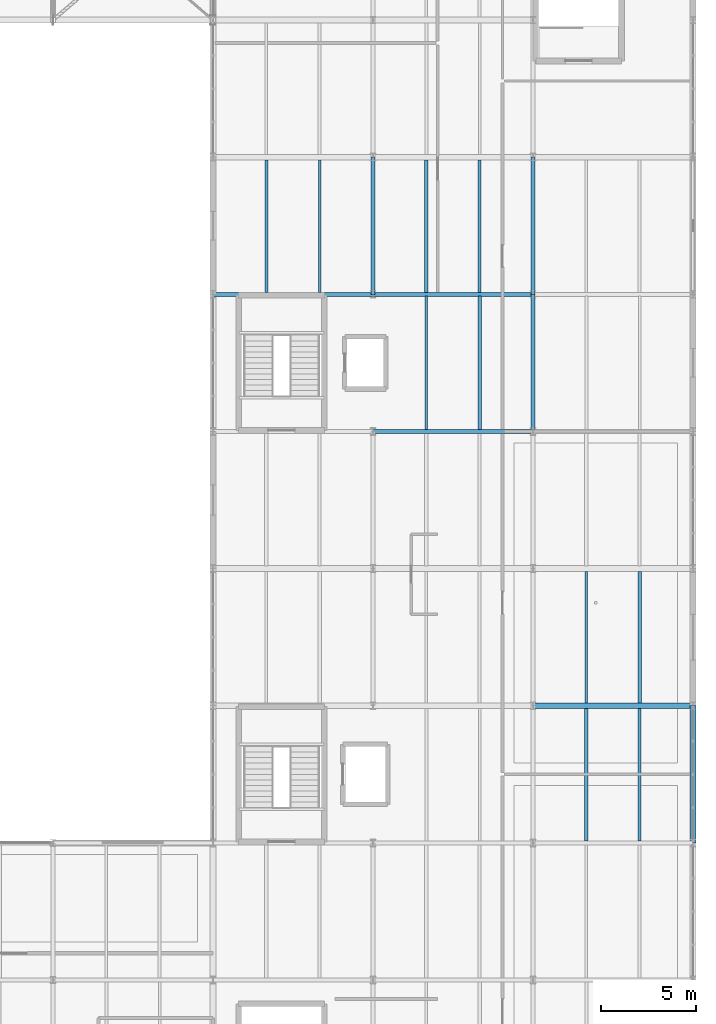
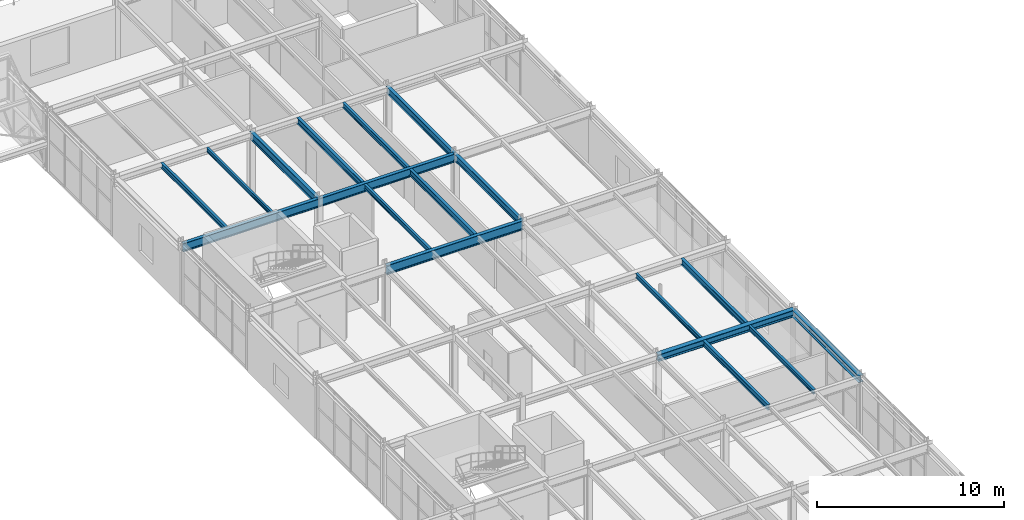
# One storey, part 79 of 134: 18 beams.
"""IFC4 building model written with IfcOpenShell, lengths in metres."""

from ifc_helpers import new_model, si_unit, derived_unit, direction, frame, origin, origin_2d, place, context, subcontext, project, spatial, i_section, extrude, material, material_profile, profile_set, type_object, element, save


model = new_model("IFC4")

# Units and contexts
model_context = context("Model", 3, precision=1e-05, world=origin(), true_north=direction((0.0, 1.0)))
body_context = subcontext(model_context, "Body", "Model", "MODEL_VIEW")
ifc_project = project(units=[si_unit("LENGTHUNIT", "METRE"), si_unit("AREAUNIT", "SQUARE_METRE"), si_unit("VOLUMEUNIT", "CUBIC_METRE"), si_unit("PLANEANGLEUNIT", "RADIAN"), si_unit("MASSUNIT", "GRAM", prefix="KILO"), derived_unit("THERMALTRANSMITTANCEUNIT", [(si_unit("MASSUNIT", "GRAM", prefix="KILO"), 1), (si_unit("TIMEUNIT", "SECOND"), -3), (si_unit("THERMODYNAMICTEMPERATUREUNIT", "KELVIN"), -1)])], contexts=[model_context])

# Site, building, storey
site_placement = place(None, origin())
site = spatial("IfcSite", under=ifc_project, at=site_placement, CompositionType="ELEMENT")
building_placement = place(site_placement, origin())
building = spatial("IfcBuilding", under=site, at=building_placement, Name="Kharveza Railside Sports Centre", CompositionType="ELEMENT")
storey_placement = place(building_placement, frame((0.0, 0.0, 12.89990234375)))
storey = spatial("IfcBuildingStorey", under=building, at=storey_placement, Name="L03", CompositionType="ELEMENT", Elevation=12.89990234375)

# Beams
ifc_material = material(Name="Steel S355J2", Category="steel")
ifc_material_profile_1 = material_profile(ifc_material, i_section(OverallWidth=0.219970703125, OverallDepth=0.60009765625, WebThickness=0.011962890625, FlangeThickness=0.01904296875, FilletRadius=0.02392578125, at=origin_2d()), Name="IPE 600")
ifc_profile_set_1 = profile_set([ifc_material_profile_1], Name="Steel S355J2")
beam_type_1 = type_object("IfcBeamType", Name="BM-G01", PredefinedType="T_BEAM", material=ifc_profile_set_1)
beam_1_placement = place(storey_placement, frame((151.199951171875, 57.60009765625, 3.66015625), z_axis=(1.0, 0.0, 0.0), x_axis=(0.0, 1.0, 0.0)))
element("IfcBeam", 1, at=beam_1_placement, inside=storey, type_object=beam_type_1, Name="BM-EW-L03-B01-X1512-Y576", PredefinedType="T_BEAM", context=body_context, shape_type="SweptSolid", body=[
    extrude(i_section(OverallWidth=0.219970703125, OverallDepth=0.60009765625, WebThickness=0.011962890625, FlangeThickness=0.01904296875, FilletRadius=0.02392578125, at=origin_2d()), origin(), (0.0, 0.0, 1.0), 8.400146484375),
])
ifc_material_profile_2 = material_profile(ifc_material, i_section(OverallWidth=0.2099609375, OverallDepth=0.550048828125, WebThickness=0.010986328125, FlangeThickness=0.01708984375, FilletRadius=0.02392578125, at=origin_2d()), Name="IPE 550")
ifc_profile_set_2 = profile_set([ifc_material_profile_2], Name="Steel S355J2")
beam_type_2 = type_object("IfcBeamType", Name="BM-G02", PredefinedType="T_BEAM", material=ifc_profile_set_2)
beam_2_placement = place(storey_placement, frame((142.800048828125, 64.800048828125, 3.68505859375), z_axis=(1.0, 0.0, 0.0), x_axis=(0.0, 1.0, 0.0)))
element("IfcBeam", 2, at=beam_2_placement, inside=storey, type_object=beam_type_2, Name="BM-EW-L03-B02-X1428-Y648", PredefinedType="T_BEAM", context=body_context, shape_type="SweptSolid", body=[
    extrude(i_section(OverallWidth=0.2099609375, OverallDepth=0.550048828125, WebThickness=0.010986328125, FlangeThickness=0.01708984375, FilletRadius=0.02392578125, at=origin_2d()), origin(), (0.0, 0.0, 1.0), 8.39990234375),
])
beam_3_placement = place(storey_placement, frame((151.199951171875, 64.800048828125, 3.68505859375), z_axis=(1.0, 0.0, 0.0), x_axis=(0.0, 1.0, 0.0)))
element("IfcBeam", 3, at=beam_3_placement, inside=storey, type_object=beam_type_2, Name="BM-EW-L03-B02-X1512-Y648", PredefinedType="T_BEAM", context=body_context, shape_type="SweptSolid", body=[
    extrude(i_section(OverallWidth=0.2099609375, OverallDepth=0.550048828125, WebThickness=0.010986328125, FlangeThickness=0.01708984375, FilletRadius=0.02392578125, at=origin_2d()), origin(), (0.0, 0.0, 1.0), 8.400146484375),
])
ifc_material_profile_3 = material_profile(ifc_material, i_section(OverallWidth=0.199951171875, OverallDepth=0.5, WebThickness=0.01025390625, FlangeThickness=0.01611328125, FilletRadius=0.02099609375, at=origin_2d()), Name="IPE 500")
ifc_profile_set_3 = profile_set([ifc_material_profile_3], Name="Steel S355J2")
beam_type_3 = type_object("IfcBeamType", Name="BM-G03", PredefinedType="T_BEAM", material=ifc_profile_set_3)
beam_4_placement = place(storey_placement, frame((151.199951171875, 64.800048828125, 3.710205078125), z_axis=(0.0, 1.0, 0.0), x_axis=(-1.0, 0.0, 0.0)))
element("IfcBeam", 4, at=beam_4_placement, inside=storey, type_object=beam_type_3, Name="BM-NS-L03-B03-X1512-Y648", PredefinedType="T_BEAM", context=body_context, shape_type="SweptSolid", body=[
    extrude(i_section(OverallWidth=0.199951171875, OverallDepth=0.5, WebThickness=0.01025390625, FlangeThickness=0.01611328125, FilletRadius=0.02099609375, at=origin_2d()), origin(), (0.0, 0.0, 1.0), 7.199951171875),
])
ifc_material_profile_4 = material_profile(ifc_material, i_section(OverallWidth=0.18994140625, OverallDepth=0.449951171875, WebThickness=0.009521484375, FlangeThickness=0.0146484375, FilletRadius=0.02099609375, at=origin_2d()), Name="IPE 450")
ifc_profile_set_4 = profile_set([ifc_material_profile_4], Name="Steel S355J2")
beam_type_4 = type_object("IfcBeamType", Name="BM-G04", PredefinedType="T_BEAM", material=ifc_profile_set_4)
for number, where, z_axis, x_axis, name in (
    (5, (159.60009765625, 57.60009765625, 3.735107421875), (0.0, 1.0, 0.0), (-1.0, 0.0, 0.0), "BM-NS-L03-B04-X1596-Y576"),
    (6, (159.60009765625, 64.800048828125, 3.735107421875), (0.0, 1.0, 0.0), (-1.0, 0.0, 0.0), "BM-NS-L03-B04-X1596-Y648"),
):
    element("IfcBeam", number, at=place(storey_placement, frame(where, z_axis=z_axis, x_axis=x_axis)), inside=storey, type_object=beam_type_4, Name=name, PredefinedType="T_BEAM", context=body_context, shape_type="SweptSolid", body=[
        extrude(i_section(OverallWidth=0.18994140625, OverallDepth=0.449951171875, WebThickness=0.009521484375, FlangeThickness=0.0146484375, FilletRadius=0.02099609375, at=origin_2d()), origin(), (0.0, 0.0, 1.0), 7.199951171875),
    ])
ifc_material_profile_5 = material_profile(ifc_material, i_section(OverallWidth=0.300048828125, OverallDepth=0.449951171875, WebThickness=0.013916015625, FlangeThickness=0.02587890625, FilletRadius=0.027099609375, at=origin_2d()), Name="HEB 450")
ifc_profile_set_5 = profile_set([ifc_material_profile_5], Name="Steel S355J2")
beam_type_5 = type_object("IfcBeamType", Name="BM-G06", PredefinedType="T_BEAM", material=ifc_profile_set_5)
beam_5_placement = place(storey_placement, frame((159.60009765625, 43.199951171875, 3.735107421875), z_axis=(1.0, 0.0, 0.0), x_axis=(0.0, 1.0, 0.0)))
element("IfcBeam", 7, at=beam_5_placement, inside=storey, type_object=beam_type_5, Name="BM-EW-L03-B06-X1596-Y432", PredefinedType="T_BEAM", context=body_context, shape_type="SweptSolid", body=[
    extrude(i_section(OverallWidth=0.300048828125, OverallDepth=0.449951171875, WebThickness=0.013916015625, FlangeThickness=0.02587890625, FilletRadius=0.027099609375, at=origin_2d()), origin(), (0.0, 0.0, 1.0), 8.39990234375),
])
ifc_material_profile_6 = material_profile(ifc_material, i_section(OverallWidth=0.179931640625, OverallDepth=0.39990234375, WebThickness=0.008544921875, FlangeThickness=0.013427734375, FilletRadius=0.02099609375, at=origin_2d()), Name="IPE 400")
ifc_profile_set_6 = profile_set([ifc_material_profile_6], Name="Steel S355J2")
beam_type_6 = type_object("IfcBeamType", Name="BM-S01", PredefinedType="BEAM", material=ifc_profile_set_6)
beam_6_placement = place(storey_placement, frame((156.800048828125, 57.70703125, 3.760009765625), z_axis=(0.0, 1.0, 0.0), x_axis=(-1.0, 0.0, 0.0)))
element("IfcBeam", 8, at=beam_6_placement, inside=storey, type_object=beam_type_6, Name="BM-SEC-L03-B09-X1568-Y576", PredefinedType="BEAM", context=body_context, shape_type="SweptSolid", body=[
    extrude(i_section(OverallWidth=0.179931640625, OverallDepth=0.39990234375, WebThickness=0.008544921875, FlangeThickness=0.013427734375, FilletRadius=0.02099609375, at=origin_2d()), origin(), (0.0, 0.0, 1.0), 6.990966796875),
])
beam_7_placement = place(storey_placement, frame((154.0, 64.902099609375, 3.760009765625), z_axis=(0.0, 1.0, 0.0), x_axis=(-1.0, 0.0, 0.0)))
element("IfcBeam", 9, at=beam_7_placement, inside=storey, type_object=beam_type_6, Name="BM-SEC-L03-B09-X1540-Y648", PredefinedType="BEAM", context=body_context, shape_type="SweptSolid", body=[
    extrude(i_section(OverallWidth=0.179931640625, OverallDepth=0.39990234375, WebThickness=0.008544921875, FlangeThickness=0.013427734375, FilletRadius=0.02099609375, at=origin_2d()), origin(), (0.0, 0.0, 1.0), 6.950927734375),
])
beam_8_placement = place(storey_placement, frame((165.199951171875, 43.346923828125, 3.760009765625), z_axis=(0.0, 1.0, 0.0), x_axis=(-1.0, 0.0, 0.0)))
element("IfcBeam", 10, at=beam_8_placement, inside=storey, type_object=beam_type_6, Name="BM-SEC-L03-B09-X1652-Y432", PredefinedType="BEAM", context=body_context, shape_type="SweptSolid", body=[
    extrude(i_section(OverallWidth=0.179931640625, OverallDepth=0.39990234375, WebThickness=0.008544921875, FlangeThickness=0.013427734375, FilletRadius=0.02099609375, at=origin_2d()), origin(), (0.0, 0.0, 1.0), 6.906005859375),
])
ifc_material_profile_7 = material_profile(ifc_material, i_section(OverallWidth=0.169921875, OverallDepth=0.360107421875, WebThickness=0.008056640625, FlangeThickness=0.0126953125, FilletRadius=0.01806640625, at=origin_2d()), Name="IPE 360")
ifc_profile_set_7 = profile_set([ifc_material_profile_7], Name="Steel S355J2")
beam_type_7 = type_object("IfcBeamType", Name="BM-S02", PredefinedType="BEAM", material=ifc_profile_set_7)
beam_9_placement = place(storey_placement, frame((162.39990234375, 36.10205078125, 3.780029296875), z_axis=(0.0, 1.0, 0.0), x_axis=(-1.0, 0.0, 0.0)))
element("IfcBeam", 11, at=beam_9_placement, inside=storey, type_object=beam_type_7, Name="BM-SEC-L03-B10-X1624-Y360", PredefinedType="BEAM", context=body_context, shape_type="SweptSolid", body=[
    extrude(i_section(OverallWidth=0.169921875, OverallDepth=0.360107421875, WebThickness=0.008056640625, FlangeThickness=0.0126953125, FilletRadius=0.01806640625, at=origin_2d()), origin(), (0.0, 0.0, 1.0), 6.950927734375),
])
ifc_material_profile_8 = material_profile(ifc_material, i_section(OverallWidth=0.159912109375, OverallDepth=0.330078125, WebThickness=0.007568359375, FlangeThickness=0.011474609375, FilletRadius=0.01806640625, at=origin_2d()), Name="IPE 330")
ifc_profile_set_8 = profile_set([ifc_material_profile_8], Name="Steel S355J2")
beam_type_8 = type_object("IfcBeamType", Name="BM-S03", PredefinedType="BEAM", material=ifc_profile_set_8)
for number, where, z_axis, x_axis, name in (
    (12, (145.60009765625, 64.902099609375, 3.795166015625), (0.0, 1.0, 0.0), (-1.0, 0.0, 0.0), "BM-SEC-L03-B11-X1456-Y648"),
    (13, (156.800048828125, 64.902099609375, 3.795166015625), (0.0, 1.0, 0.0), (-1.0, 0.0, 0.0), "BM-SEC-L03-B11-X1568-Y648"),
):
    element("IfcBeam", number, at=place(storey_placement, frame(where, z_axis=z_axis, x_axis=x_axis)), inside=storey, type_object=beam_type_8, Name=name, PredefinedType="BEAM", context=body_context, shape_type="SweptSolid", body=[
        extrude(i_section(OverallWidth=0.159912109375, OverallDepth=0.330078125, WebThickness=0.007568359375, FlangeThickness=0.011474609375, FilletRadius=0.01806640625, at=origin_2d()), origin(), (0.0, 0.0, 1.0), 6.950927734375),
    ])
ifc_material_profile_9 = material_profile(ifc_material, i_section(OverallWidth=0.14990234375, OverallDepth=0.300048828125, WebThickness=0.007080078125, FlangeThickness=0.0107421875, FilletRadius=0.014892578125, at=origin_2d()), Name="IPE 300")
ifc_profile_set_9 = profile_set([ifc_material_profile_9], Name="Steel S355J2")
beam_type_9 = type_object("IfcBeamType", Name="BM-S04", PredefinedType="BEAM", material=ifc_profile_set_9)
beam_10_placement = place(storey_placement, frame((154.0, 57.70703125, 3.81005859375), z_axis=(0.0, 1.0, 0.0), x_axis=(-1.0, 0.0, 0.0)))
element("IfcBeam", 14, at=beam_10_placement, inside=storey, type_object=beam_type_9, Name="BM-SEC-L03-B12-X1540-Y576", PredefinedType="BEAM", context=body_context, shape_type="SweptSolid", body=[
    extrude(i_section(OverallWidth=0.14990234375, OverallDepth=0.300048828125, WebThickness=0.007080078125, FlangeThickness=0.0107421875, FilletRadius=0.014892578125, at=origin_2d()), origin(), (0.0, 0.0, 1.0), 6.990966796875),
])
beam_11_placement = place(storey_placement, frame((165.199951171875, 36.10205078125, 3.81005859375), z_axis=(0.0, 1.0, 0.0), x_axis=(-1.0, 0.0, 0.0)))
element("IfcBeam", 15, at=beam_11_placement, inside=storey, type_object=beam_type_9, Name="BM-SEC-L03-B12-X1652-Y360", PredefinedType="BEAM", context=body_context, shape_type="SweptSolid", body=[
    extrude(i_section(OverallWidth=0.14990234375, OverallDepth=0.300048828125, WebThickness=0.007080078125, FlangeThickness=0.0107421875, FilletRadius=0.014892578125, at=origin_2d()), origin(), (0.0, 0.0, 1.0), 6.950927734375),
])
beam_12_placement = place(storey_placement, frame((162.39990234375, 43.346923828125, 3.81005859375), z_axis=(0.0, 1.0, 0.0), x_axis=(-1.0, 0.0, 0.0)))
element("IfcBeam", 16, at=beam_12_placement, inside=storey, type_object=beam_type_9, Name="BM-SEC-L03-B12-X1624-Y432", PredefinedType="BEAM", context=body_context, shape_type="SweptSolid", body=[
    extrude(i_section(OverallWidth=0.14990234375, OverallDepth=0.300048828125, WebThickness=0.007080078125, FlangeThickness=0.0107421875, FilletRadius=0.014892578125, at=origin_2d()), origin(), (0.0, 0.0, 1.0), 6.906005859375),
])
ifc_material_profile_10 = material_profile(ifc_material, i_section(OverallWidth=0.135009765625, OverallDepth=0.27001953125, WebThickness=0.006591796875, FlangeThickness=0.01025390625, FilletRadius=0.014892578125, at=origin_2d()), Name="IPE 270")
ifc_profile_set_10 = profile_set([ifc_material_profile_10], Name="Steel S355J2")
beam_type_10 = type_object("IfcBeamType", Name="BM-S05", PredefinedType="BEAM", material=ifc_profile_set_10)
beam_13_placement = place(storey_placement, frame((148.39990234375, 64.902099609375, 3.8251953125), z_axis=(0.0, 1.0, 0.0), x_axis=(-1.0, 0.0, 0.0)))
element("IfcBeam", 17, at=beam_13_placement, inside=storey, type_object=beam_type_10, Name="BM-SEC-L03-B13-X1484-Y648", PredefinedType="BEAM", context=body_context, shape_type="SweptSolid", body=[
    extrude(i_section(OverallWidth=0.135009765625, OverallDepth=0.27001953125, WebThickness=0.006591796875, FlangeThickness=0.01025390625, FilletRadius=0.014892578125, at=origin_2d()), origin(), (0.0, 0.0, 1.0), 6.950927734375),
])
ifc_material_profile_11 = material_profile(ifc_material, i_section(OverallWidth=0.300048828125, OverallDepth=0.43994140625, WebThickness=0.011474609375, FlangeThickness=0.02099609375, FilletRadius=0.027099609375, at=origin_2d()), Name="HEA 450")
ifc_profile_set_11 = profile_set([ifc_material_profile_11], Name="Steel S355J2")
beam_type_11 = type_object("IfcBeamType", Name="BM-SP01", PredefinedType="SPANDREL", material=ifc_profile_set_11)
beam_14_placement = place(storey_placement, frame((168.0, 36.0, 3.739990234375), z_axis=(0.0, 1.0, 0.0), x_axis=(-1.0, 0.0, 0.0)))
element("IfcBeam", 18, at=beam_14_placement, inside=storey, type_object=beam_type_11, Name="BM-NS-L03-B15-X1680-Y360", PredefinedType="SPANDREL", context=body_context, shape_type="SweptSolid", body=[
    extrude(i_section(OverallWidth=0.300048828125, OverallDepth=0.43994140625, WebThickness=0.011474609375, FlangeThickness=0.02099609375, FilletRadius=0.027099609375, at=origin_2d()), origin(), (0.0, 0.0, 1.0), 7.199951171875),
])

save(model, "model.ifc")
